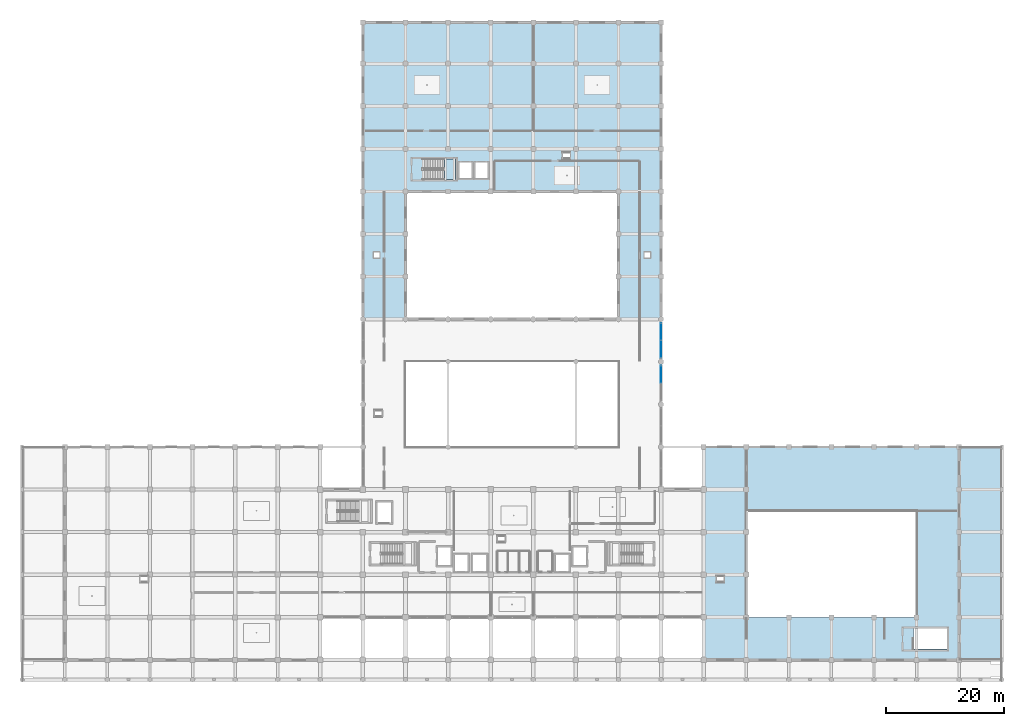
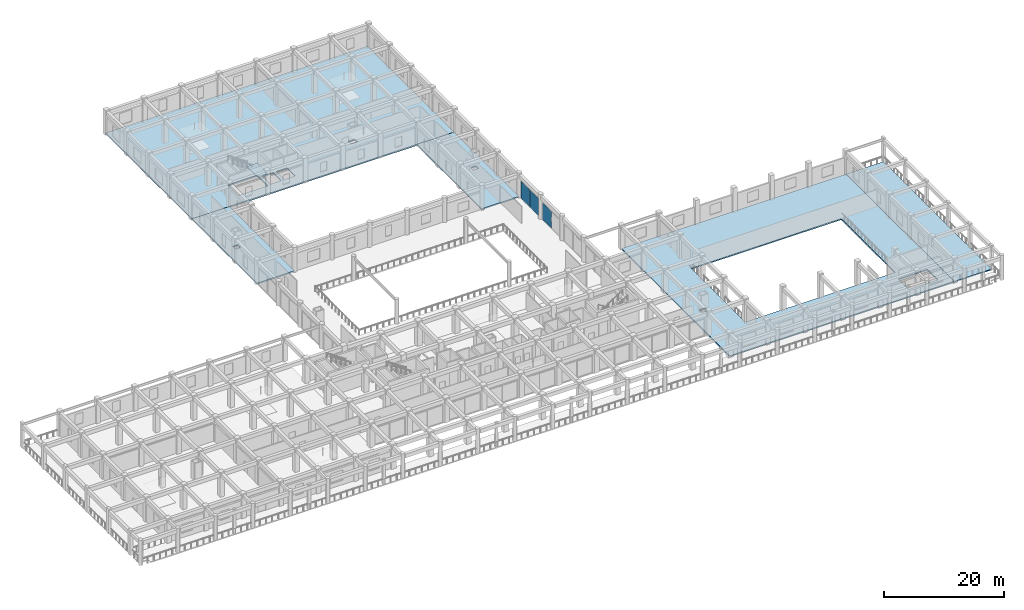
# One storey, part 28 of 54: 6 slabs, 3 plates, 3 elements without a shape of their own.
"""IFC4 building model written with IfcOpenShell, lengths in metres."""

from ifc_helpers import new_model, si_unit, direction, frame, origin, origin_2d, place, context, subcontext, project, spatial, polyline, rectangle, outline, extrude, material, layer, layer_set, type_object, element, aggregate, save


model = new_model("IFC4")

# Units and contexts
model_context = context("Model", 3, precision=1e-05, world=origin(), true_north=direction((0.0, 1.0)))
body_context = subcontext(model_context, "Body", "Model", "MODEL_VIEW")
ifc_project = project(units=[si_unit("LENGTHUNIT", "METRE"), si_unit("AREAUNIT", "SQUARE_METRE"), si_unit("VOLUMEUNIT", "CUBIC_METRE"), si_unit("PLANEANGLEUNIT", "RADIAN"), si_unit("MASSUNIT", "GRAM", prefix="KILO")], contexts=[model_context])

# Site, building, storey
site_placement = place(None, origin())
site = spatial("IfcSite", under=ifc_project, at=site_placement, CompositionType="ELEMENT")
building_placement = place(site_placement, origin())
building = spatial("IfcBuilding", under=site, at=building_placement, Name="Kazehaya Institute of Natural Sciences", CompositionType="ELEMENT")
storey_placement = place(building_placement, frame((0.0, 0.0, 5.39990234375)))
storey = spatial("IfcBuildingStorey", under=building, at=storey_placement, Name="L01", CompositionType="ELEMENT", Elevation=5.39990234375)

# Curtain wall, plate
ifc_material_1 = material(Name="Aluminium alloy A6063S-T5", Category="aluminium")
curtain_wall_type = type_object("IfcCurtainWallType", Name="CW-SYS-02", PredefinedType="NOTDEFINED", material=ifc_material_1)
curtain_wall_1_placement = place(storey_placement, origin())
curtain_wall_1 = element("IfcCurtainWall", 1, at=curtain_wall_1_placement, inside=storey, type_object=curtain_wall_type, Name="L01 unitised curtain wall CW-L01-020", PredefinedType="NOTDEFINED")
ifc_material_2 = material(Name="Insulated bronze aluminium spandrel panel", Category="aluminium")
ifc_layer_1 = layer(ifc_material_2, 0.070068359375, Name="Insulated bronze aluminium spandrel panel", Category="aluminium")
ifc_layer_set_1 = layer_set([ifc_layer_1], Name="Insulated bronze aluminium spandrel panel")
plate_type_1 = type_object("IfcPlateType", Name="CWP-05", PredefinedType="CURTAIN_PANEL", material=ifc_layer_set_1)
plate_1_placement = place(storey_placement, frame((112.199951171875, 55.06494140625, 0.06005859375), z_axis=(0.0, 0.0, 1.0), x_axis=(0.0, -1.0, 0.0)))
plate_1 = element("IfcPlate", 2, at=plate_1_placement, type_object=plate_type_1, Name="CW02 panel 1.1", PredefinedType="CURTAIN_PANEL", context=body_context, shape_type="SweptSolid", body=[
    extrude(rectangle(XDim=2.8701171875, YDim=0.070068359375, at=origin_2d()), origin(), (0.0, 0.0, 1.0), 3.419921875),
])
aggregate(curtain_wall_1, [plate_1])

# Curtain wall, plates
curtain_wall_2_placement = place(storey_placement, origin())
curtain_wall_2 = element("IfcCurtainWall", 3, at=curtain_wall_2_placement, inside=storey, type_object=curtain_wall_type, Name="L01 unitised curtain wall CW-L01-022", PredefinedType="NOTDEFINED")
ifc_layer_2 = layer(ifc_material_2, 0.080078125, Name="Insulated bronze aluminium spandrel panel", Category="aluminium")
ifc_layer_set_2 = layer_set([ifc_layer_2], Name="Insulated bronze aluminium spandrel panel")
plate_type_2 = type_object("IfcPlateType", Name="CWP-06", PredefinedType="CURTAIN_PANEL", material=ifc_layer_set_2)
plate_2_placement = place(storey_placement, frame((112.199951171875, 62.264892578125, 0.06005859375), z_axis=(0.0, 0.0, 1.0), x_axis=(0.0, -1.0, 0.0)))
plate_2 = element("IfcPlate", 4, at=plate_2_placement, type_object=plate_type_2, Name="CW02 panel 1.1", PredefinedType="CURTAIN_PANEL", context=body_context, shape_type="SweptSolid", body=[
    extrude(rectangle(XDim=2.8701171875, YDim=0.080078125, at=origin_2d()), origin(), (0.0, 0.0, 1.0), 3.419921875),
])
plate_3_placement = place(storey_placement, frame((112.199951171875, 59.3349609375, 0.06005859375), z_axis=(0.0, 0.0, 1.0), x_axis=(0.0, -1.0, 0.0)))
plate_3 = element("IfcPlate", 5, at=plate_3_placement, type_object=plate_type_2, Name="CW02 panel 2.1", PredefinedType="CURTAIN_PANEL", context=body_context, shape_type="SweptSolid", body=[
    extrude(rectangle(XDim=2.8701171875, YDim=0.080078125, at=origin_2d()), origin(), (0.0, 0.0, 1.0), 3.419921875),
])
aggregate(curtain_wall_2, [plate_2, plate_3])

# Slabs
ifc_material_3 = material(Name="Concrete Fc36", Category="concrete")
ifc_layer_3 = layer(ifc_material_3, 0.239990234375, Name="Concrete Fc36", Category="concrete")
ifc_layer_set_3 = layer_set([ifc_layer_3], Name="Concrete Fc36")
slab_type_1 = type_object("IfcSlabType", Name="SL-FLR-240", PredefinedType="FLOOR", material=ifc_layer_set_3)
slab_1_placement = place(storey_placement, frame((0.0, 0.0, -0.239990234375)))
element("IfcSlab", 6, at=slab_1_placement, inside=storey, type_object=slab_type_1, Name="L01 structural slab L01-VOL5W", PredefinedType="FLOOR", context=body_context, shape_type="SweptSolid", body=[
    extrude(outline(polyline([(61.800048828125, 64.39990234375), (69.0, 64.39990234375), (69.0, 86.0), (61.800048828125, 86.0), (61.800048828125, 64.39990234375)]), holes=[polyline([(63.60009765625, 74.800048828125), (64.60009765625, 74.800048828125), (64.60009765625, 75.699951171875), (63.60009765625, 75.699951171875), (63.60009765625, 74.800048828125)])]), origin(), (0.0, 0.0, 1.0), 0.239990234375),
])
slab_2_placement = place(storey_placement, frame((0.0, 0.0, -0.239990234375)))
element("IfcSlab", 7, at=slab_2_placement, inside=storey, type_object=slab_type_1, Name="L01 structural slab L01-VOL5E", PredefinedType="FLOOR", context=body_context, shape_type="SweptSolid", body=[
    extrude(outline(polyline([(105.0, 64.39990234375), (112.199951171875, 64.39990234375), (112.199951171875, 86.0), (105.0, 86.0), (105.0, 64.39990234375)]), holes=[polyline([(109.39990234375, 74.800048828125), (110.39990234375, 74.800048828125), (110.39990234375, 75.699951171875), (109.39990234375, 75.699951171875), (109.39990234375, 74.800048828125)])]), origin(), (0.0, 0.0, 1.0), 0.239990234375),
])
ifc_layer_4 = layer(ifc_material_3, 0.25, Name="Concrete Fc36", Category="concrete")
ifc_layer_set_4 = layer_set([ifc_layer_4], Name="Concrete Fc36")
slab_type_2 = type_object("IfcSlabType", Name="SL-FLR-250", PredefinedType="FLOOR", material=ifc_layer_set_4)
slab_3_placement = place(storey_placement, frame((0.0, 0.0, -0.25)))
element("IfcSlab", 8, at=slab_3_placement, inside=storey, type_object=slab_type_2, Name="L01 structural slab L01-VOL1", PredefinedType="FLOOR", context=body_context, shape_type="SweptSolid", body=[
    extrude(outline(polyline([(119.39990234375, 6.800048828125), (162.60009765625, 6.800048828125), (162.60009765625, 42.800048828125), (119.39990234375, 42.800048828125), (119.39990234375, 6.800048828125)]), holes=[polyline([(121.60009765625, 20.0), (122.800048828125, 20.0), (122.800048828125, 20.89990234375), (121.60009765625, 20.89990234375), (121.60009765625, 20.0)]), polyline([(154.860107421875, 8.60009765625), (160.5, 8.60009765625), (160.5, 12.080078125), (154.860107421875, 12.080078125), (154.860107421875, 8.60009765625)]), polyline([(126.60009765625, 14.0), (155.39990234375, 14.0), (155.39990234375, 32.0), (126.60009765625, 32.0), (126.60009765625, 14.0)])]), origin(), (0.0, 0.0, 1.0), 0.25),
])
slab_4_placement = place(storey_placement, frame((0.0, 0.0, -0.25)))
element("IfcSlab", 9, at=slab_4_placement, inside=storey, type_object=slab_type_2, Name="L01 structural slab L01-VOL5N", PredefinedType="FLOOR", context=body_context, shape_type="SweptSolid", body=[
    extrude(outline(polyline([(61.800048828125, 86.0), (112.199951171875, 86.0), (112.199951171875, 114.800048828125), (61.800048828125, 114.800048828125), (61.800048828125, 86.0)]), holes=[polyline([(95.60009765625, 91.60009765625), (96.800048828125, 91.60009765625), (96.800048828125, 92.5), (95.60009765625, 92.5), (95.60009765625, 91.60009765625)]), polyline([(71.860107421875, 88.0), (77.5, 88.0), (77.5, 91.47998046875), (71.860107421875, 91.47998046875), (71.860107421875, 88.0)]), polyline([(78.10009765625, 88.199951171875), (80.199951171875, 88.199951171875), (80.199951171875, 90.89990234375), (78.10009765625, 90.89990234375), (78.10009765625, 88.199951171875)]), polyline([(80.800048828125, 88.199951171875), (82.89990234375, 88.199951171875), (82.89990234375, 90.89990234375), (80.800048828125, 90.89990234375), (80.800048828125, 88.199951171875)])]), origin(), (0.0, 0.0, 1.0), 0.25),
])

# Stair, slab
stair_type = type_object("IfcStairType", Name="STR-DOG-5040", PredefinedType="HALF_TURN_STAIR", material=ifc_material_3)
stair_placement = place(storey_placement, origin())
stair = element("IfcStair", 10, at=stair_placement, inside=storey, type_object=stair_type, Name="L01 Protected Escape Stair ST-3", PredefinedType="HALF_TURN_STAIR")
ifc_layer_5 = layer(ifc_material_3, 0.159912109375, Name="Concrete Fc36", Category="concrete")
ifc_layer_set_5 = layer_set([ifc_layer_5], Name="Concrete Fc36")
slab_type_3 = type_object("IfcSlabType", Name="SL-LND-160", PredefinedType="LANDING", material=ifc_layer_set_5)
slab_5_placement = place(storey_placement, frame((0.0, 0.0, 2.320068359375)))
slab_5 = element("IfcSlab", 11, at=slab_5_placement, type_object=slab_type_3, Name="ST-3 landing 1", PredefinedType="LANDING", context=body_context, shape_type="SweptSolid", body=[
    extrude(outline(polyline([(75.5, 88.0), (77.5, 88.0), (77.5, 91.47998046875), (75.5, 91.47998046875), (75.5, 88.0)])), origin(), (0.0, 0.0, 1.0), 0.199951171875),
])
aggregate(stair, [slab_5])

# Slab
ifc_layer_6 = layer(ifc_material_3, 0.2099609375, Name="Concrete Fc36", Category="concrete")
ifc_layer_set_6 = layer_set([ifc_layer_6], Name="Concrete Fc36")
slab_type_4 = type_object("IfcSlabType", Name="SL-TER-210", PredefinedType="FLOOR", material=ifc_layer_set_6)
slab_6_placement = place(storey_placement, frame((0.0, 0.0, -0.2099609375)))
element("IfcSlab", 12, at=slab_6_placement, inside=storey, type_object=slab_type_4, Name="L01 outdoor terrace slab EXT-L01-COLE", PredefinedType="FLOOR", context=body_context, shape_type="SweptSolid", body=[
    extrude(outline(polyline([(162.60009765625, 6.800048828125), (169.800048828125, 6.800048828125), (169.800048828125, 42.800048828125), (162.60009765625, 42.800048828125), (162.60009765625, 6.800048828125)])), origin(), (0.0, 0.0, 1.0), 0.2099609375),
])

save(model, "model.ifc")
